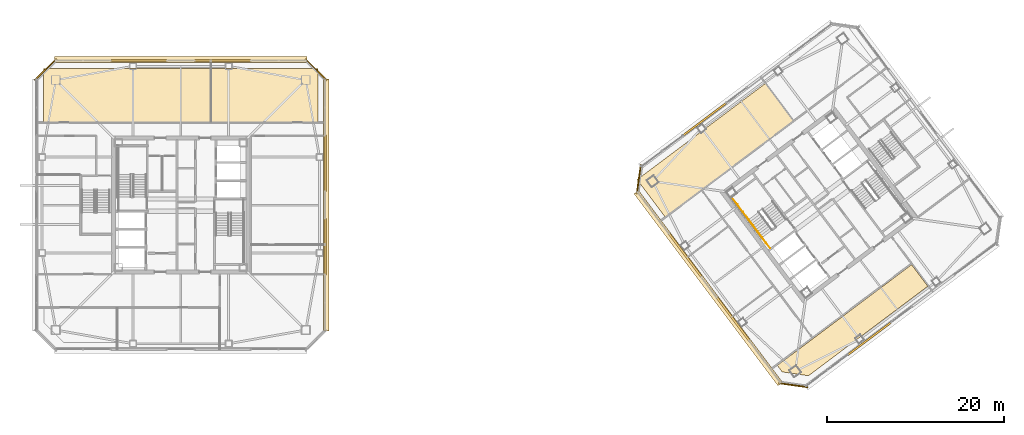
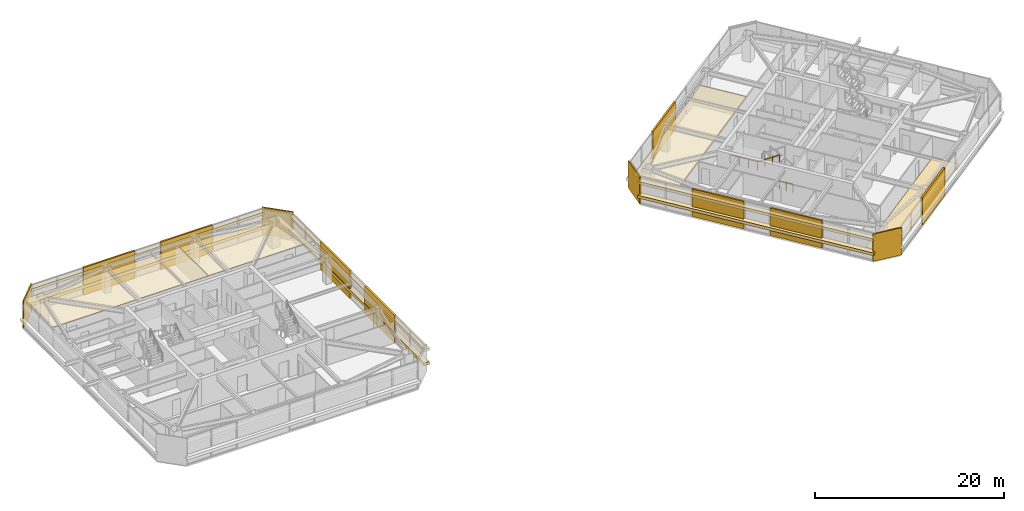
# One storey, part 41 of 44: 22 coverings, 3 railings.
"""IFC4 building model written with IfcOpenShell, lengths in metres."""

from ifc_helpers import new_model, si_unit, direction, frame, origin, origin_2d, place, context, subcontext, project, spatial, polyline, rectangle, outline, extrude, material, layer, layer_set, type_object, element, save


model = new_model("IFC4")

# Units and contexts
model_context = context("Model", 3, precision=1e-05, world=origin(), true_north=direction((0.0, 1.0)))
body_context = subcontext(model_context, "Body", "Model", "MODEL_VIEW")
ifc_project = project(units=[si_unit("LENGTHUNIT", "METRE"), si_unit("AREAUNIT", "SQUARE_METRE"), si_unit("VOLUMEUNIT", "CUBIC_METRE"), si_unit("PLANEANGLEUNIT", "RADIAN"), si_unit("MASSUNIT", "GRAM", prefix="KILO")], contexts=[model_context])

# Site, building, storey
site_placement = place(None, origin())
site = spatial("IfcSite", under=ifc_project, at=site_placement, CompositionType="ELEMENT")
building_placement = place(site_placement, origin())
building = spatial("IfcBuilding", under=site, at=building_placement, Name="Tashvorn Skyway Center", CompositionType="ELEMENT")
storey_placement = place(building_placement, frame((0.0, 0.0, 211.300048828125)))
storey = spatial("IfcBuildingStorey", under=building, at=storey_placement, Name="L57", CompositionType="ELEMENT", Elevation=211.300048828125)

# Coverings
ifc_material_1 = material(Name="Precast concrete C40/50", Category="concrete")
ifc_layer_1 = layer(ifc_material_1, 0.199951171875)
ifc_layer_set_1 = layer_set([ifc_layer_1], Name="Precast concrete C40/50")
covering_type_1 = type_object("IfcCoveringType", Name="COV-BRACE-CLAD", PredefinedType="CLADDING", material=ifc_layer_set_1)
for number, where, z_axis, x_axis, name in (
    (1, (37.273193359375, 48.280029296875, 0.0), (0.0, 0.0, 1.0), (1.0, 0.0, 0.0), "Tower 1 L57 North Unitised Curtain Wall Mega-Brace Cladding Band 1"),
    (2, (46.726806640625, 48.280029296875, 0.0), (0.0, 0.0, 1.0), (1.0, 0.0, 0.0), "Tower 1 L57 North Unitised Curtain Wall Mega-Brace Cladding Band 2"),
    (3, (58.280029296875, 36.726806640625, 0.0), (0.0, 0.0, 1.0), (0.0, -1.0, 0.0), "Tower 1 L57 East Unitised Curtain Wall Mega-Brace Cladding Band 1"),
    (4, (58.280029296875, 27.273193359375, 0.0), (0.0, 0.0, 1.0), (0.0, -1.0, 0.0), "Tower 1 L57 East Unitised Curtain Wall Mega-Brace Cladding Band 2"),
):
    element("IfcCovering", number, at=place(storey_placement, frame(where, z_axis=z_axis, x_axis=x_axis)), inside=storey, type_object=covering_type_1, Name=name, PredefinedType="CLADDING", context=body_context, shape_type="SweptSolid", body=[
        extrude(rectangle(XDim=6.30224609375, YDim=0.199951171875, at=origin_2d()), origin(), (0.0, 0.0, 1.0), 3.550048828125),
    ])
for number, where, z_axis, x_axis, name in (
    (5, (119.693359375, 16.919921875, 0.0), (0.0, 0.0, 1.0), (-0.799999996291, -0.600000004945, 0.0), "Tower 2 L57 South Unitised Curtain Wall Mega-Brace Cladding Band 2"),
    (6, (104.31201171875, 19.117431640625, 0.0), (0.0, 0.0, 1.0), (-0.600000004945, 0.799999996291, 0.0), "Tower 2 L57 West Unitised Curtain Wall Mega-Brace Cladding Band 1"),
    (7, (98.919921875, 26.306640625, 0.0), (0.0, 0.0, 1.0), (-0.600000004945, 0.799999996291, 0.0), "Tower 2 L57 West Unitised Curtain Wall Mega-Brace Cladding Band 2"),
    (8, (101.117431640625, 41.68798828125, 0.0), (0.0, 0.0, 1.0), (0.799999996291, 0.600000004945, 0.0), "Tower 2 L57 North Unitised Curtain Wall Mega-Brace Cladding Band 1"),
):
    element("IfcCovering", number, at=place(storey_placement, frame(where, z_axis=z_axis, x_axis=x_axis)), inside=storey, type_object=covering_type_1, Name=name, PredefinedType="CLADDING", context=body_context, shape_type="SweptSolid", body=[
        extrude(rectangle(XDim=5.990966796875, YDim=0.199951171875, at=origin_2d()), origin(), (0.0, 0.0, 1.0), 3.550048828125),
    ])
ifc_material_2 = material(Name="Mineral-fibre acoustic ceiling tile on suspended grid")
ifc_layer_2 = layer(ifc_material_2, 0.02001953125)
ifc_layer_set_2 = layer_set([ifc_layer_2], Name="Mineral-fibre acoustic ceiling tile on suspended grid")
covering_type_2 = type_object("IfcCoveringType", Name="COV-CEIL-20", PredefinedType="CEILING", material=ifc_layer_set_2)
covering_1_placement = place(storey_placement, frame((0.0, 0.0, 2.702880859375)))
element("IfcCovering", 9, at=covering_1_placement, inside=storey, type_object=covering_type_2, Name="Tower 1 L57 Wellness Clinic Acoustic Ceiling", PredefinedType="CEILING", context=body_context, shape_type="SweptSolid", body=[
    extrude(outline(polyline([(26.5, 41.300048828125), (45.39990234375, 41.300048828125), (45.39990234375, 47.39990234375), (26.5, 47.39990234375), (26.5, 41.300048828125)])), origin(), (0.0, 0.0, 1.0), 0.02001953125),
])
covering_2_placement = place(storey_placement, frame((0.0, 0.0, 2.702880859375)))
element("IfcCovering", 10, at=covering_2_placement, inside=storey, type_object=covering_type_2, Name="Tower 1 L57 Wellness Clinic Acoustic Ceiling", PredefinedType="CEILING", context=body_context, shape_type="SweptSolid", body=[
    extrude(outline(polyline([(45.39990234375, 41.300048828125), (57.5, 41.300048828125), (57.5, 47.39990234375), (45.39990234375, 47.39990234375), (45.39990234375, 41.300048828125)])), origin(), (0.0, 0.0, 1.0), 0.02001953125),
])
covering_3_placement = place(storey_placement, frame((0.0, 0.0, 2.702880859375)))
element("IfcCovering", 11, at=covering_3_placement, inside=storey, type_object=covering_type_2, Name="Tower 2 L57 Wellness Clinic Acoustic Ceiling", PredefinedType="CEILING", context=body_context, shape_type="SweptSolid", body=[
    extrude(outline(polyline([(96.659912109375, 30.6201171875), (111.139892578125, 41.47998046875), (107.9599609375, 45.719970703125), (93.47998046875, 34.860107421875), (96.659912109375, 30.6201171875)])), origin(), (0.0, 0.0, 1.0), 0.02001953125),
])
ifc_material_3 = material(Name="Polished Mojave desert-aggregate terrazzo and cover plate")
ifc_layer_3 = layer(ifc_material_3, 0.0400390625)
ifc_layer_set_3 = layer_set([ifc_layer_3], Name="Polished Mojave desert-aggregate terrazzo and cover plate")
covering_type_3 = type_object("IfcCoveringType", Name="COV-FLR-40", PredefinedType="FLOORING", material=ifc_layer_set_3)
covering_4_placement = place(storey_placement, origin())
element("IfcCovering", 12, at=covering_4_placement, inside=storey, type_object=covering_type_3, Name="Tower 2 L57 Wellness Clinic Finish Flooring", PredefinedType="FLOORING", context=body_context, shape_type="SweptSolid", body=[
    extrude(outline(polyline([(112.820068359375, 12.739990234375), (109.85205078125, 13.1640625), (109.2939453125, 13.907958984375), (124.446044921875, 25.27197265625), (126.27587890625, 22.83203125), (112.820068359375, 12.739990234375)])), origin(), (0.0, 0.0, 1.0), 0.0400390625),
])
ifc_material_4 = material(Name="Perforated ceramic-coated bronze aluminium solar screen", Category="aluminium")
ifc_layer_4 = layer(ifc_material_4, 0.85009765625)
ifc_layer_set_4 = layer_set([ifc_layer_4], Name="Perforated ceramic-coated bronze aluminium solar screen")
covering_type_4 = type_object("IfcCoveringType", Name="COV-SOLAR-BAND", PredefinedType="CLADDING", material=ifc_layer_set_4)
for number, where, z_axis, x_axis, name in (
    (13, (42.0, 48.419921875, 0.919921875), (0.0, 0.0, 1.0), (1.0, 0.0, 0.0), "L57 Perforated Ceramic-Metal Solar Screen Louvre Band North 1"),
    (14, (42.0, 48.419921875, 2.7197265625), (0.0, 0.0, 1.0), (1.0, 0.0, 0.0), "L57 Perforated Ceramic-Metal Solar Screen Louvre Band North 2"),
    (15, (58.419921875, 32.0, 0.919921875), (0.0, 0.0, 1.0), (0.0, -1.0, 0.0), "L57 Perforated Ceramic-Metal Solar Screen Louvre Band East 1"),
    (16, (58.419921875, 32.0, 2.7197265625), (0.0, 0.0, 1.0), (0.0, -1.0, 0.0), "L57 Perforated Ceramic-Metal Solar Screen Louvre Band East 2"),
):
    element("IfcCovering", number, at=place(storey_placement, frame(where, z_axis=z_axis, x_axis=x_axis)), inside=storey, type_object=covering_type_4, Name=name, PredefinedType="CLADDING", context=body_context, shape_type="SweptSolid", body=[
        extrude(rectangle(XDim=28.47998046875, YDim=0.639892578125, at=origin_2d()), origin(), (0.0, 0.0, 1.0), 0.360107421875),
    ])
for number, where, z_axis, x_axis, name in (
    (17, (101.50390625, 22.6279296875, 0.919921875), (0.0, 0.0, 1.0), (-0.600000004945, 0.799999996291, 0.0), "L57 Perforated Ceramic-Metal Solar Screen Louvre Band West 1"),
    (18, (101.50390625, 22.6279296875, 2.7197265625), (0.0, 0.0, 1.0), (-0.600000004945, 0.799999996291, 0.0), "L57 Perforated Ceramic-Metal Solar Screen Louvre Band West 2"),
):
    element("IfcCovering", number, at=place(storey_placement, frame(where, z_axis=z_axis, x_axis=x_axis)), inside=storey, type_object=covering_type_4, Name=name, PredefinedType="CLADDING", context=body_context, shape_type="SweptSolid", body=[
        extrude(rectangle(XDim=27.080078125, YDim=0.639892578125, at=origin_2d()), origin(), (0.0, 0.0, 1.0), 0.360107421875),
    ])
ifc_layer_5 = layer(ifc_material_1, 0.35009765625)
ifc_layer_set_5 = layer_set([ifc_layer_5], Name="Precast concrete C40/50")
covering_type_5 = type_object("IfcCoveringType", Name="COV-STONE-TRIM", PredefinedType="CLADDING", material=ifc_layer_set_5)
for number, where, z_axis, x_axis, name in (
    (19, (26.72998046875, 47.27001953125, 0.02001953125), (0.0, 0.0, 1.0), (-0.707106781187, -0.707106781187, 0.0), "Tower 1 L57 NW Mojave Limestone Corner Quoin"),
    (20, (57.27001953125, 47.27001953125, 0.02001953125), (0.0, 0.0, 1.0), (0.707106781187, -0.707106781187, 0.0), "Tower 1 L57 NE Mojave Limestone Corner Quoin"),
):
    element("IfcCovering", number, at=place(storey_placement, frame(where, z_axis=z_axis, x_axis=x_axis)), inside=storey, type_object=covering_type_5, Name=name, PredefinedType="CLADDING", context=body_context, shape_type="SweptSolid", body=[
        extrude(rectangle(XDim=3.41259765625, YDim=0.139892578125, at=origin_2d()), origin(), (0.0, 0.0, 1.0), 3.510009765625),
    ])
for number, where, z_axis, x_axis, name in (
    (21, (111.095947265625, 11.672119140625, 0.02001953125), (0.0, 0.0, 1.0), (-0.989949494535, 0.141421350118, 0.0), "Tower 2 L57 SW Mojave Limestone Corner Quoin"),
    (22, (93.672119140625, 34.904052734375, 0.02001953125), (0.0, 0.0, 1.0), (-0.141421350118, -0.989949494535, 0.0), "Tower 2 L57 NW Mojave Limestone Corner Quoin"),
):
    element("IfcCovering", number, at=place(storey_placement, frame(where, z_axis=z_axis, x_axis=x_axis)), inside=storey, type_object=covering_type_5, Name=name, PredefinedType="CLADDING", context=body_context, shape_type="SweptSolid", body=[
        extrude(rectangle(XDim=3.271240234375, YDim=0.139892578125, at=origin_2d()), origin(), (0.0, 0.0, 1.0), 3.510009765625),
    ])

# Railings
ifc_material_5 = material(Name="Brushed stainless steel 316", Category="steel")
railing_type_1 = type_object("IfcRailingType", Name="RAIL-HAND-920", PredefinedType="HANDRAIL", material=ifc_material_5)
railing_1_placement = place(storey_placement, frame((106.072021484375, 30.35400390625, 1.952392578125)))
element("IfcRailing", 23, at=railing_1_placement, inside=storey, type_object=railing_type_1, Name="L57 ST-T2-1 stair handrail 2", PredefinedType="HANDRAIL", context=body_context, shape_type="SweptSolid", body=[
    extrude(rectangle(XDim=0.048095703125, YDim=0.048095703125, at=origin_2d()), frame((0.0, 0.0, 0.8759765625), z_axis=(0.506718600913, -0.675679348675, 0.535437836974), x_axis=(0.800023250257, 0.599968998406, 0.0)), (0.0, 0.0, 1.0), 2.98388671875),
    extrude(rectangle(XDim=0.0419921875, YDim=0.0419921875, at=origin_2d()), origin(), (0.0, 0.0, 1.0), 0.851806640625),
    extrude(rectangle(XDim=0.0419921875, YDim=0.0419921875, at=origin_2d()), frame((0.50390625, -0.672119140625, 0.532470703125)), (0.0, 0.0, 1.0), 0.851806640625),
    extrude(rectangle(XDim=0.0419921875, YDim=0.0419921875, at=origin_2d()), frame((1.008056640625, -1.343994140625, 1.065185546875)), (0.0, 0.0, 1.0), 0.851806640625),
    extrude(rectangle(XDim=0.0419921875, YDim=0.0419921875, at=origin_2d()), frame((1.511962890625, -2.01611328125, 1.59765625)), (0.0, 0.0, 1.0), 0.851806640625),
])
ifc_material_6 = material(Name="Painted galvanized steel S355", Category="steel")
railing_type_2 = type_object("IfcRailingType", Name="RAIL-STGUARD-1100", PredefinedType="GUARDRAIL", material=ifc_material_6)
railing_2_placement = place(storey_placement, frame((106.072021484375, 30.35400390625, 1.77490234375)))
element("IfcRailing", 24, at=railing_2_placement, inside=storey, type_object=railing_type_2, Name="L57 ST-T2-1 stair guard 3", PredefinedType="GUARDRAIL", context=body_context, shape_type="SweptSolid", body=[
    extrude(rectangle(XDim=0.048095703125, YDim=0.048095703125, at=origin_2d()), frame((0.0, 0.0, 1.076171875), z_axis=(-0.599987638607, 0.800009270896, 0.0), x_axis=(-0.800009270896, -0.599987638607, 0.0)), (0.0, 0.0, 1.0), 3.16015625),
    extrude(rectangle(XDim=0.0419921875, YDim=0.0419921875, at=origin_2d()), origin(), (0.0, 0.0, 1.0), 1.052001953125),
    extrude(rectangle(XDim=0.0419921875, YDim=0.0419921875, at=origin_2d()), frame((-0.632080078125, 0.8427734375, 0.0)), (0.0, 0.0, 1.0), 1.052001953125),
    extrude(rectangle(XDim=0.0419921875, YDim=0.0419921875, at=origin_2d()), frame((-1.263916015625, 1.685302734375, 0.0)), (0.0, 0.0, 1.0), 1.052001953125),
    extrude(rectangle(XDim=0.0419921875, YDim=0.0419921875, at=origin_2d()), frame((-1.89599609375, 2.528076171875, 0.0)), (0.0, 0.0, 1.0), 1.052001953125),
])
railing_3_placement = place(storey_placement, frame((108.49609375, 27.1220703125, 0.0)))
element("IfcRailing", 25, at=railing_3_placement, inside=storey, type_object=railing_type_2, Name="L57 ST-T2-1 stair guard 6", PredefinedType="GUARDRAIL", context=body_context, shape_type="SweptSolid", body=[
    extrude(rectangle(XDim=0.048095703125, YDim=0.048095703125, at=origin_2d()), frame((0.0, 0.0, 1.076171875), z_axis=(-0.600102796382, 0.799922892393, 0.0), x_axis=(-0.799922892393, -0.600102796382, 0.0)), (0.0, 0.0, 1.0), 1.52001953125),
    extrude(rectangle(XDim=0.0419921875, YDim=0.0419921875, at=origin_2d()), origin(), (0.0, 0.0, 1.0), 1.052001953125),
    extrude(rectangle(XDim=0.0419921875, YDim=0.0419921875, at=origin_2d()), frame((-0.4560546875, 0.60791015625, 0.0)), (0.0, 0.0, 1.0), 1.052001953125),
    extrude(rectangle(XDim=0.0419921875, YDim=0.0419921875, at=origin_2d()), frame((-0.912109375, 1.2158203125, 0.0)), (0.0, 0.0, 1.0), 1.052001953125),
])

save(model, "model.ifc")
